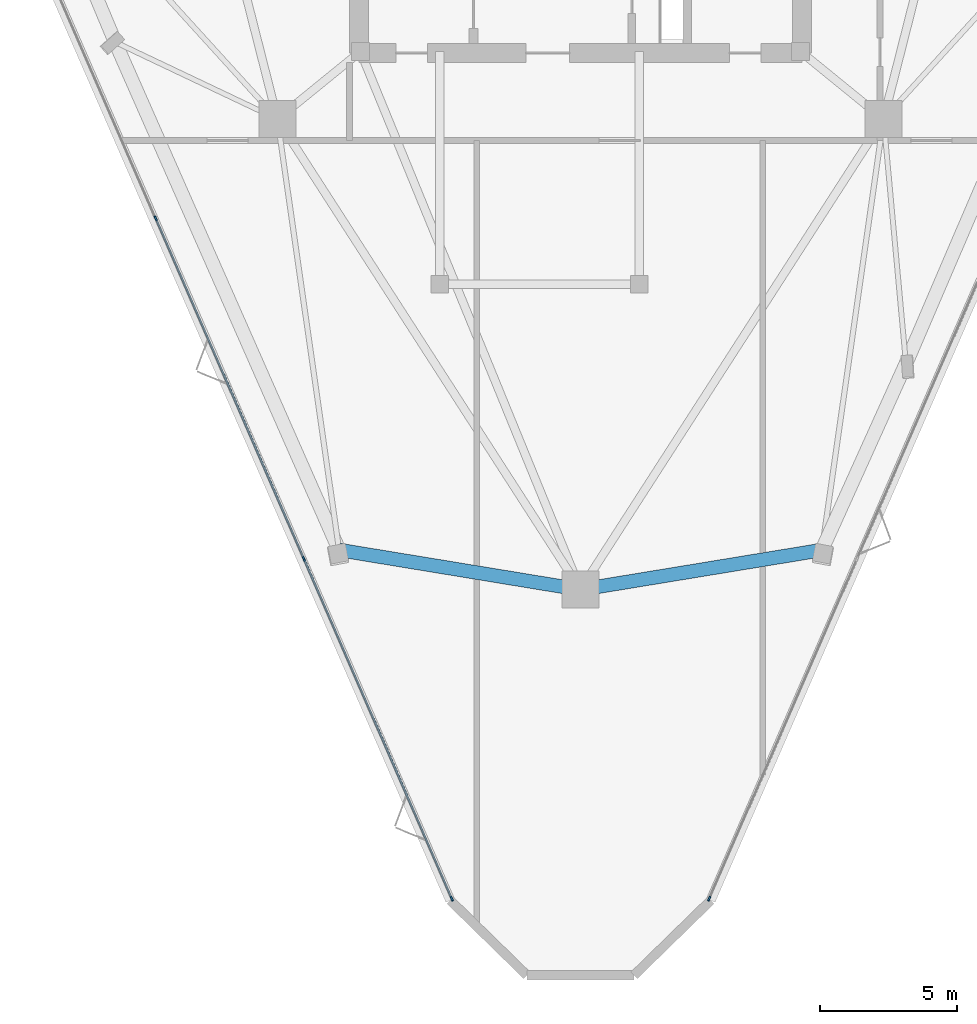
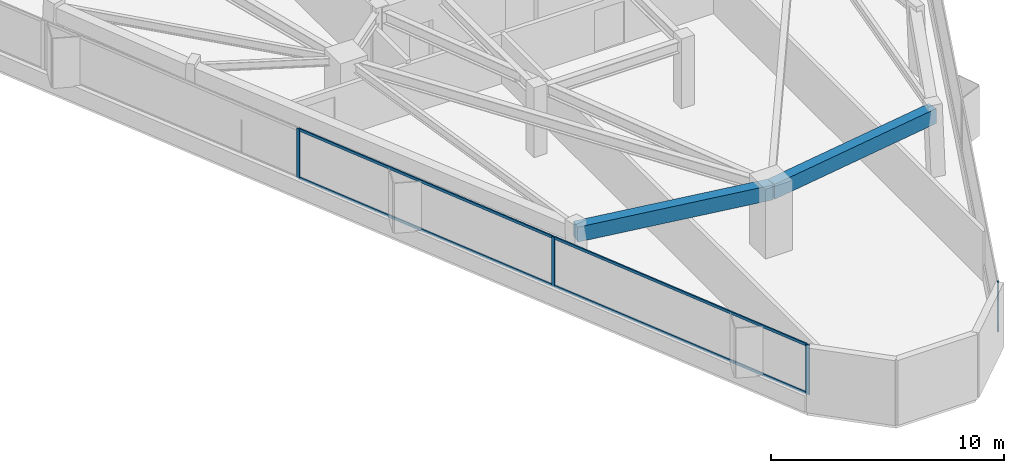
# One storey, part 2 of 12: 8 members, 2 beams, 2 elements without a shape of their own.
"""IFC4 building model written with IfcOpenShell, lengths in metres."""

from ifc_helpers import new_model, si_unit, direction, frame, origin, origin_2d, place, context, subcontext, project, spatial, rectangle, extrude, material, layer, layer_set, material_profile, profile_set, type_object, element, aggregate, save


model = new_model("IFC4")

# Units and contexts
model_context = context("Model", 3, precision=1e-05, world=origin(), true_north=direction((0.0, 1.0)))
body_context = subcontext(model_context, "Body", "Model", "MODEL_VIEW")
ifc_project = project(units=[si_unit("LENGTHUNIT", "METRE"), si_unit("AREAUNIT", "SQUARE_METRE"), si_unit("VOLUMEUNIT", "CUBIC_METRE"), si_unit("PLANEANGLEUNIT", "RADIAN"), si_unit("MASSUNIT", "GRAM", prefix="KILO")], contexts=[model_context])

# Site, building, storey
site_placement = place(None, origin())
site = spatial("IfcSite", under=ifc_project, at=site_placement, CompositionType="ELEMENT")
building_placement = place(site_placement, origin())
building = spatial("IfcBuilding", under=site, at=building_placement, Name="Talyreon Biosciences Tower", CompositionType="ELEMENT")
storey_placement = place(building_placement, frame((0.0, 0.0, 186.699951171875)))
storey = spatial("IfcBuildingStorey", under=building, at=storey_placement, Name="L49", CompositionType="ELEMENT", Elevation=186.699951171875)

# Curtain wall, members
ifc_material_1 = material(Name="Thermally broken aluminium and low-E glazing", Category="aluminium")
ifc_layer = layer(ifc_material_1, 0.179931640625)
ifc_layer_set = layer_set([ifc_layer], Name="Thermally broken aluminium and low-E glazing")
curtain_wall_type = type_object("IfcCurtainWallType", Name="CurtainWall_Zone4Optical", PredefinedType="NOTDEFINED", material=ifc_layer_set)
curtain_wall_1_placement = place(storey_placement, origin())
curtain_wall_1 = element("IfcCurtainWall", 1, at=curtain_wall_1_placement, inside=storey, type_object=curtain_wall_type, Name="L49 Unitised Curtain Wall FCW-L49-00", PredefinedType="NOTDEFINED")
ifc_material_2 = material(Name="Anodised thermally broken aluminium", Category="aluminium")
ifc_material_profile_1 = material_profile(ifc_material_2, rectangle(XDim=0.06494140625, YDim=0.179931640625, at=origin_2d()), Name="ALUM MULLION 65x180")
ifc_profile_set_1 = profile_set([ifc_material_profile_1], Name="Anodised thermally broken aluminium")
member_type_1 = type_object("IfcMemberType", Name="CWMullion_65x180", PredefinedType="MULLION", material=ifc_profile_set_1)
member_1_placement = place(storey_placement, frame((61.29248046875, 30.35791015625, 0.81005859375), z_axis=(0.0, 0.0, 1.0), x_axis=(-0.916912184291, -0.399089020519, 0.0)))
member_1 = element("IfcMember", 2, at=member_1_placement, type_object=member_type_1, Name="CW5 mullion 1", PredefinedType="MULLION", context=body_context, shape_type="SweptSolid", body=[
    extrude(rectangle(XDim=0.06494140625, YDim=0.179931640625, at=origin_2d()), origin(), (0.0, 0.0, 1.0), 2.590087890625),
])
member_2_placement = place(storey_placement, frame((55.88134765625, 42.7900390625, 0.81005859375), z_axis=(0.0, 0.0, 1.0), x_axis=(-0.916912184291, -0.399089020519, 0.0)))
member_2 = element("IfcMember", 3, at=member_2_placement, type_object=member_type_1, Name="CW5 mullion 2", PredefinedType="MULLION", context=body_context, shape_type="SweptSolid", body=[
    extrude(rectangle(XDim=0.06494140625, YDim=0.179931640625, at=origin_2d()), origin(), (0.0, 0.0, 1.0), 2.590087890625),
])
member_3_placement = place(storey_placement, frame((50.45751953125, 55.251953125, 0.81005859375), z_axis=(0.0, 0.0, 1.0), x_axis=(-0.916912184291, -0.399089020519, 0.0)))
member_3 = element("IfcMember", 4, at=member_3_placement, type_object=member_type_1, Name="CW5 mullion 3", PredefinedType="MULLION", context=body_context, shape_type="SweptSolid", body=[
    extrude(rectangle(XDim=0.06494140625, YDim=0.179931640625, at=origin_2d()), origin(), (0.0, 0.0, 1.0), 2.590087890625),
])

# Curtain wall, member
curtain_wall_2_placement = place(storey_placement, origin())
curtain_wall_2 = element("IfcCurtainWall", 5, at=curtain_wall_2_placement, inside=storey, type_object=curtain_wall_type, Name="L49 Unitised Curtain Wall FCW-L49-08", PredefinedType="NOTDEFINED")
member_4_placement = place(storey_placement, frame((70.70751953125, 30.35791015625, 0.81005859375), z_axis=(0.0, 0.0, 1.0), x_axis=(0.916912184291, -0.399089020519, 0.0)))
member_4 = element("IfcMember", 6, at=member_4_placement, type_object=member_type_1, Name="CW5 mullion 5", PredefinedType="MULLION", context=body_context, shape_type="SweptSolid", body=[
    extrude(rectangle(XDim=0.06494140625, YDim=0.179931640625, at=origin_2d()), origin(), (0.0, 0.0, 1.0), 2.590087890625),
])
aggregate(curtain_wall_2, [member_4])

# Member
ifc_material_profile_2 = material_profile(ifc_material_2, rectangle(XDim=0.06494140625, YDim=0.139892578125, at=origin_2d()), Name="ALUM TRANSOM 65x140")
ifc_profile_set_2 = profile_set([ifc_material_profile_2], Name="Anodised thermally broken aluminium")
member_type_2 = type_object("IfcMemberType", Name="CWTransom_65x140", PredefinedType="USERDEFINED", material=ifc_profile_set_2)
member_5_placement = place(storey_placement, frame((61.279541015625, 30.3876953125, 0.842529296875), z_axis=(-0.399077385587, 0.916917248345, 0.0), x_axis=(-0.916917248345, -0.399077385587, 0.0)))
member_5 = element("IfcMember", 7, at=member_5_placement, type_object=member_type_2, Name="CW5 transom 1.1", ObjectType="TRANSOM", PredefinedType="USERDEFINED", context=body_context, shape_type="SweptSolid", body=[
    extrude(rectangle(XDim=0.06494140625, YDim=0.139892578125, at=origin_2d()), origin(), (0.0, 0.0, 1.0), 13.49365234375),
])

member_6_placement = place(storey_placement, frame((61.279541015625, 30.3876953125, 3.367431640625), z_axis=(-0.399077385587, 0.916917248345, 0.0), x_axis=(-0.916917248345, -0.399077385587, 0.0)))
member_6 = element("IfcMember", 8, at=member_6_placement, type_object=member_type_2, Name="CW5 transom 1.2", ObjectType="TRANSOM", PredefinedType="USERDEFINED", context=body_context, shape_type="SweptSolid", body=[
    extrude(rectangle(XDim=0.06494140625, YDim=0.139892578125, at=origin_2d()), origin(), (0.0, 0.0, 1.0), 13.49365234375),
])

member_7_placement = place(storey_placement, frame((55.868408203125, 42.81982421875, 0.842529296875), z_axis=(-0.399075882405, 0.916917902586, 0.0), x_axis=(-0.916917902586, -0.399075882405, 0.0)))
member_7 = element("IfcMember", 9, at=member_7_placement, type_object=member_type_2, Name="CW5 transom 2.1", ObjectType="TRANSOM", PredefinedType="USERDEFINED", context=body_context, shape_type="SweptSolid", body=[
    extrude(rectangle(XDim=0.06494140625, YDim=0.139892578125, at=origin_2d()), origin(), (0.0, 0.0, 1.0), 13.526123046875),
])

member_8_placement = place(storey_placement, frame((55.868408203125, 42.81982421875, 3.367431640625), z_axis=(-0.399075882405, 0.916917902586, 0.0), x_axis=(-0.916917902586, -0.399075882405, 0.0)))
member_8 = element("IfcMember", 10, at=member_8_placement, type_object=member_type_2, Name="CW5 transom 2.2", ObjectType="TRANSOM", PredefinedType="USERDEFINED", context=body_context, shape_type="SweptSolid", body=[
    extrude(rectangle(XDim=0.06494140625, YDim=0.139892578125, at=origin_2d()), origin(), (0.0, 0.0, 1.0), 13.526123046875),
])

aggregate(curtain_wall_1, [member_1, member_2, member_3, member_5, member_6, member_7, member_8])

# Beams
ifc_material_3 = material(Name="Precast concrete C45/55", Category="concrete")
ifc_material_profile_3 = material_profile(ifc_material_3, rectangle(XDim=0.5, YDim=0.780029296875, at=origin_2d()), Name="RCB 500x780")
ifc_profile_set_3 = profile_set([ifc_material_profile_3], Name="Precast concrete C45/55")
beam_type = type_object("IfcBeamType", Name="ExpressedSpandrel_500x780", PredefinedType="SPANDREL", material=ifc_profile_set_3)
for number, where, z_axis, x_axis, name in (
    (11, (66.0, 41.6669921875, 3.010009765625), (0.98679865974, 0.16195186055, 0.0), (-0.16195186055, 0.98679865974, 0.0), "L49 Expressed Horizontal Concrete Spandrel 01"),
    (12, (57.169677734375, 43.1162109375, 3.010009765625), (0.98679865974, -0.16195186055, 0.0), (0.16195186055, 0.98679865974, 0.0), "L49 Expressed Horizontal Concrete Spandrel 12"),
):
    element("IfcBeam", number, at=place(storey_placement, frame(where, z_axis=z_axis, x_axis=x_axis)), inside=storey, type_object=beam_type, Name=name, PredefinedType="SPANDREL", context=body_context, shape_type="SweptSolid", body=[
        extrude(rectangle(XDim=0.5, YDim=0.780029296875, at=origin_2d()), origin(), (0.0, 0.0, 1.0), 8.948486328125),
    ])

save(model, "model.ifc")
